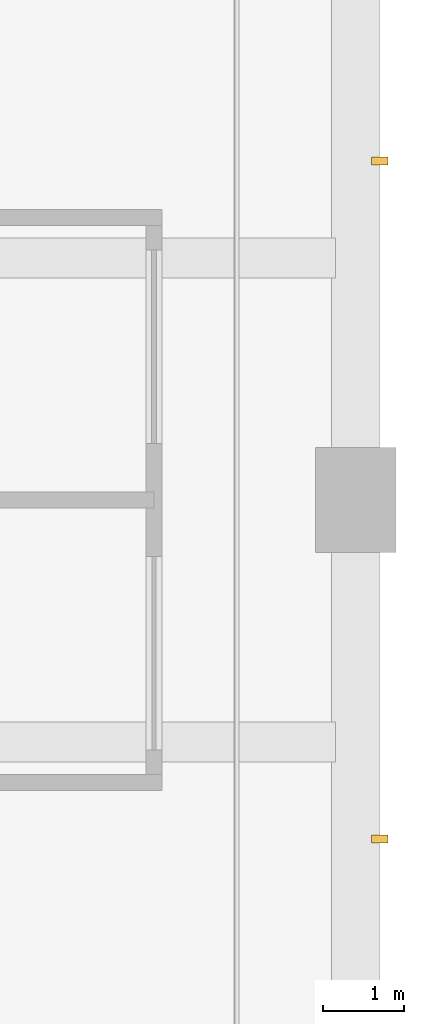
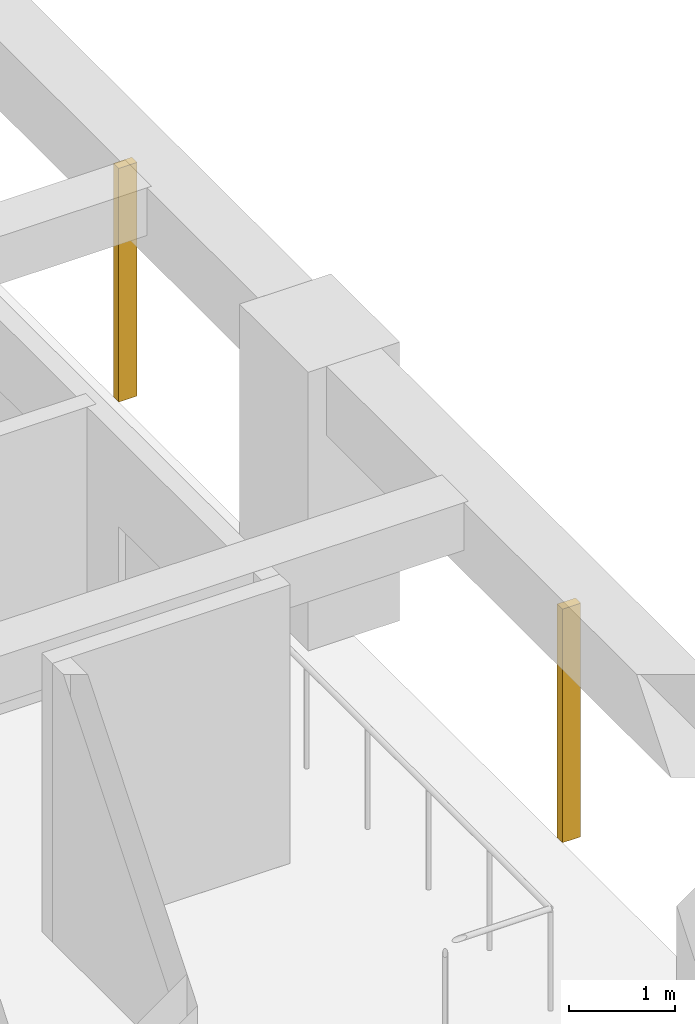
# One storey, part 15 of 16: 2 shading devices.
"""IFC4 building model written with IfcOpenShell, lengths in metres."""

from ifc_helpers import new_model, si_unit, direction, frame, origin, origin_2d, place, context, subcontext, project, spatial, rectangle, extrude, material, material_profile, profile_set, type_object, element, save


model = new_model("IFC4")

# Units and contexts
model_context = context("Model", 3, precision=1e-05, world=origin(), true_north=direction((0.0, 1.0)))
body_context = subcontext(model_context, "Body", "Model", "MODEL_VIEW")
ifc_project = project(units=[si_unit("LENGTHUNIT", "METRE"), si_unit("AREAUNIT", "SQUARE_METRE"), si_unit("VOLUMEUNIT", "CUBIC_METRE"), si_unit("PLANEANGLEUNIT", "RADIAN"), si_unit("MASSUNIT", "GRAM", prefix="KILO")], contexts=[model_context])

# Site, building, storey
site_placement = place(None, origin())
site = spatial("IfcSite", under=ifc_project, at=site_placement, CompositionType="ELEMENT")
building_placement = place(site_placement, origin())
building = spatial("IfcBuilding", under=site, at=building_placement, Name="Vermilion Gate Residences", CompositionType="ELEMENT")
storey_placement = place(building_placement, frame((0.0, 0.0, 130.199951171875)))
storey = spatial("IfcBuildingStorey", under=building, at=storey_placement, Name="L33", CompositionType="ELEMENT", Elevation=130.199951171875)

# Shading devices
ifc_material = material(Name="Extruded terracotta", Category="masonry")
ifc_material_profile = material_profile(ifc_material, rectangle(XDim=0.199951171875, YDim=0.10009765625, at=origin_2d()), Name="BAGUETTE 100 X 200")
ifc_profile_set = profile_set([ifc_material_profile], Name="Extruded terracotta")
shading_device_type = type_object("IfcShadingDeviceType", Name="TERRACOTTA BAGUETTE 100 X 200", PredefinedType="JALOUSIE", material=ifc_profile_set)
for number, where, z_axis, x_axis, name in (
    (1, (67.5, 12.60009765625, -0.280029296875), (0.0, 0.0, 1.0), (-1.0, 0.0, 0.0), "BAGUETTE"),
    (2, (67.5, 21.0, -0.280029296875), (0.0, 0.0, 1.0), (-1.0, 0.0, 0.0), "BAGUETTE"),
):
    element("IfcShadingDevice", number, at=place(storey_placement, frame(where, z_axis=z_axis, x_axis=x_axis)), inside=storey, type_object=shading_device_type, Name=name, PredefinedType="JALOUSIE", context=body_context, shape_type="SweptSolid", body=[
        extrude(rectangle(XDim=0.199951171875, YDim=0.10009765625, at=origin_2d()), origin(), (0.0, 0.0, 1.0), 2.7001953125),
    ])

save(model, "model.ifc")
